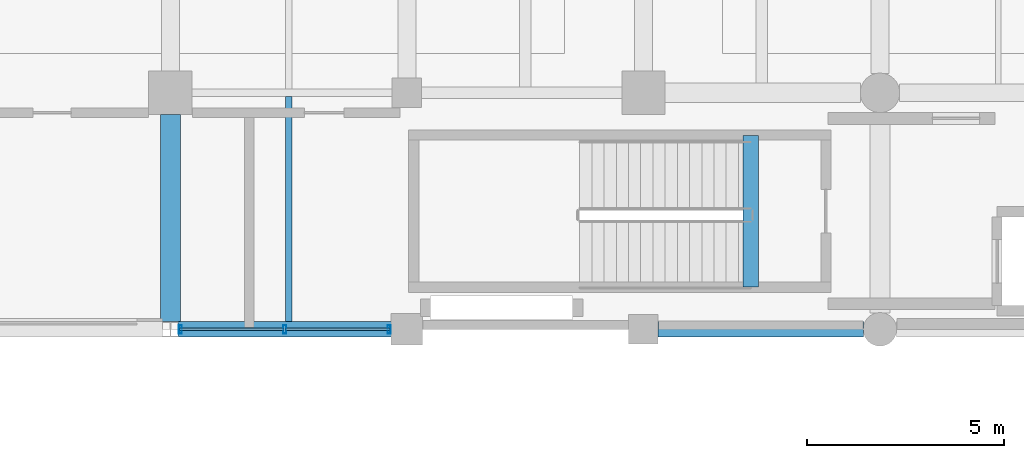
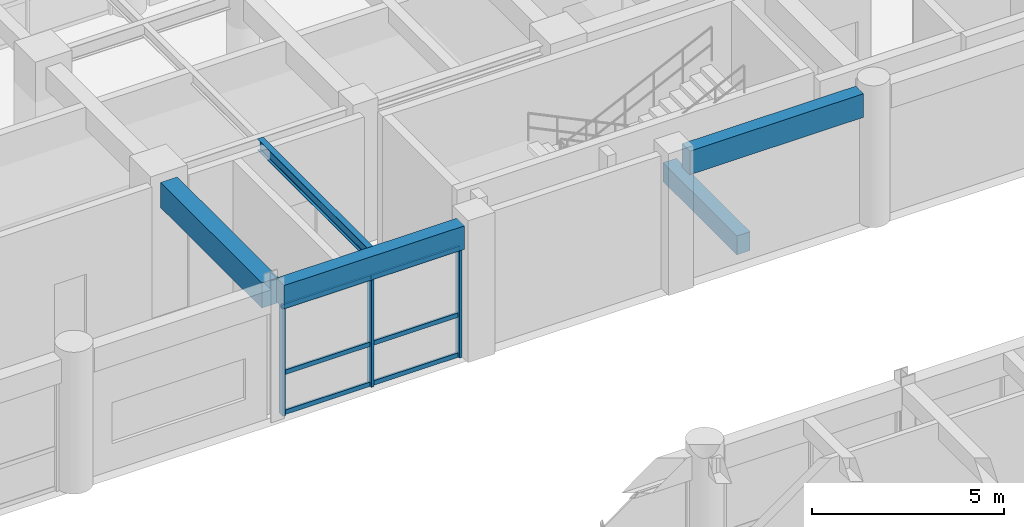
# One storey, part 49 of 133: 9 members, 5 beams, 1 element without a shape of its own.
"""IFC4 building model written with IfcOpenShell, lengths in metres."""

from ifc_helpers import new_model, si_unit, direction, frame, origin, origin_2d, place, context, subcontext, project, spatial, rectangle, hollow_rectangle, i_section, extrude, material, material_profile, profile_set, type_object, element, aggregate, save


model = new_model("IFC4")

# Units and contexts
model_context = context("Model", 3, precision=1e-05, world=origin(), true_north=direction((0.0, 1.0)))
body_context = subcontext(model_context, "Body", "Model", "MODEL_VIEW")
ifc_project = project(units=[si_unit("LENGTHUNIT", "METRE"), si_unit("AREAUNIT", "SQUARE_METRE"), si_unit("VOLUMEUNIT", "CUBIC_METRE"), si_unit("PLANEANGLEUNIT", "RADIAN"), si_unit("MASSUNIT", "GRAM", prefix="KILO"), si_unit("THERMODYNAMICTEMPERATUREUNIT", "KELVIN"), si_unit("POWERUNIT", "WATT")], contexts=[model_context])

# Site, building, storey
site_placement = place(None, origin())
site = spatial("IfcSite", under=ifc_project, at=site_placement, CompositionType="ELEMENT")
building_placement = place(site_placement, origin())
building = spatial("IfcBuilding", under=site, at=building_placement, Name="Phaisarnlok Congress Hotel", CompositionType="ELEMENT")
storey_placement = place(building_placement, frame((0.0, 0.0, 6.0)))
storey = spatial("IfcBuildingStorey", under=building, at=storey_placement, Name="L01", CompositionType="ELEMENT", Elevation=6.0)

# Beams
ifc_material_1 = material(Name="Concrete C40/50", Category="concrete")
ifc_material_profile_1 = material_profile(ifc_material_1, rectangle(XDim=0.39990234375, YDim=0.60009765625, at=origin_2d()), Name="RC 400x600")
ifc_profile_set_1 = profile_set([ifc_material_profile_1], Name="Concrete C40/50")
beam_type_1 = type_object("IfcBeamType", Name="BM-RC-400x600", PredefinedType="BEAM", material=ifc_profile_set_1)
beam_1_placement = place(storey_placement, frame((110.719970703125, 109.080078125, -0.300048828125), z_axis=(0.0, 1.0, 0.0), x_axis=(-1.0, 0.0, 0.0)))
element("IfcBeam", 1, at=beam_1_placement, inside=storey, type_object=beam_type_1, Name="Stair landing header beam B-02 (CORE-4 L01)", PredefinedType="BEAM", context=body_context, shape_type="SweptSolid", body=[
    extrude(rectangle(XDim=0.39990234375, YDim=0.60009765625, at=origin_2d()), origin(), (0.0, 0.0, 1.0), 3.83984375),
])
ifc_material_profile_2 = material_profile(ifc_material_1, rectangle(XDim=0.5, YDim=0.800048828125, at=origin_2d()), Name="RC 500x800")
ifc_profile_set_2 = profile_set([ifc_material_profile_2], Name="Concrete C40/50")
beam_type_2 = type_object("IfcBeamType", Name="BM-RC-500x800", PredefinedType="BEAM", material=ifc_profile_set_2)
beam_2_placement = place(storey_placement, frame((96.0, 108.194580078125, 3.820068359375), z_axis=(0.0, 1.0, 0.0), x_axis=(-1.0, 0.0, 0.0)))
element("IfcBeam", 2, at=beam_2_placement, inside=storey, type_object=beam_type_2, Name="Beam B-04", PredefinedType="BEAM", context=body_context, shape_type="SweptSolid", body=[
    extrude(rectangle(XDim=0.5, YDim=0.800048828125, at=origin_2d()), origin(), (0.0, 0.0, 1.0), 5.260498046875),
])

# Curtain wall, members
ifc_material_2 = material(Name="Thermally Broken Unitised Aluminium & Low-E Glazing", Category="aluminium")
curtain_wall_type = type_object("IfcCurtainWallType", Name="CW-UNIT-14", PredefinedType="NOTDEFINED", material=ifc_material_2)
curtain_wall_placement = place(storey_placement, origin())
curtain_wall = element("IfcCurtainWall", 3, at=curtain_wall_placement, inside=storey, type_object=curtain_wall_type, Name="Unitised curtain wall CW-14 (L01)", PredefinedType="NOTDEFINED")
ifc_material_3 = material(Name="Anodised Aluminium Alloy 6063-T6", Category="aluminium")
ifc_material_profile_3 = material_profile(ifc_material_3, hollow_rectangle(XDim=0.074951171875, YDim=0.219970703125, WallThickness=0.0048828125, at=origin_2d()), Name="ALU-M 75x220x5")
ifc_profile_set_3 = profile_set([ifc_material_profile_3], Name="Anodised Aluminium Alloy 6063-T6")
member_type_1 = type_object("IfcMemberType", Name="CWM-220", PredefinedType="MULLION", material=ifc_profile_set_3)
member_1_placement = place(storey_placement, frame((96.25048828125, 108.0, 0.0), z_axis=(0.0, 0.0, 1.0), x_axis=(1.0, 0.0, 0.0)))
member_1 = element("IfcMember", 4, at=member_1_placement, type_object=member_type_1, Name="Curtain wall mullion CWM-02", PredefinedType="MULLION", context=body_context, shape_type="SweptSolid", body=[
    extrude(hollow_rectangle(XDim=0.074951171875, YDim=0.219970703125, WallThickness=0.0048828125, at=origin_2d()), origin(), (0.0, 0.0, 1.0), 3.469970703125),
])
member_2_placement = place(storey_placement, frame((98.900146484375, 108.0, 0.0), z_axis=(0.0, 0.0, 1.0), x_axis=(1.0, 0.0, 0.0)))
member_2 = element("IfcMember", 5, at=member_2_placement, type_object=member_type_1, Name="Curtain wall mullion CWM-02", PredefinedType="MULLION", context=body_context, shape_type="SweptSolid", body=[
    extrude(hollow_rectangle(XDim=0.074951171875, YDim=0.219970703125, WallThickness=0.0048828125, at=origin_2d()), origin(), (0.0, 0.0, 1.0), 3.469970703125),
])
member_3_placement = place(storey_placement, frame((101.550048828125, 108.0, 0.0), z_axis=(0.0, 0.0, 1.0), x_axis=(1.0, 0.0, 0.0)))
member_3 = element("IfcMember", 6, at=member_3_placement, type_object=member_type_1, Name="Curtain wall mullion CWM-02", PredefinedType="MULLION", context=body_context, shape_type="SweptSolid", body=[
    extrude(hollow_rectangle(XDim=0.074951171875, YDim=0.219970703125, WallThickness=0.0048828125, at=origin_2d()), origin(), (0.0, 0.0, 1.0), 3.469970703125),
])
ifc_material_profile_4 = material_profile(ifc_material_3, hollow_rectangle(XDim=0.06494140625, YDim=0.139892578125, WallThickness=0.00390625, at=origin_2d()), Name="ALU-T 65x140x4")
ifc_profile_set_4 = profile_set([ifc_material_profile_4], Name="Anodised Aluminium Alloy 6063-T6")
member_type_2 = type_object("IfcMemberType", Name="CWT-150", PredefinedType="USERDEFINED", material=ifc_profile_set_4)
member_4_placement = place(storey_placement, frame((96.2255859375, 108.0, 0.050048828125), z_axis=(1.0, 0.0, 0.0), x_axis=(0.0, 1.0, 0.0)))
member_4 = element("IfcMember", 7, at=member_4_placement, type_object=member_type_2, Name="Curtain wall transom CWT-01", ObjectType="TRANSOM", PredefinedType="USERDEFINED", context=body_context, shape_type="SweptSolid", body=[
    extrude(hollow_rectangle(XDim=0.06494140625, YDim=0.139892578125, WallThickness=0.00390625, at=origin_2d()), origin(), (0.0, 0.0, 1.0), 2.65966796875),
])
member_5_placement = place(storey_placement, frame((96.2255859375, 108.0, 1.318603515625), z_axis=(1.0, 0.0, 0.0), x_axis=(0.0, 1.0, 0.0)))
member_5 = element("IfcMember", 8, at=member_5_placement, type_object=member_type_2, Name="Curtain wall transom CWT-01", ObjectType="TRANSOM", PredefinedType="USERDEFINED", context=body_context, shape_type="SweptSolid", body=[
    extrude(hollow_rectangle(XDim=0.06494140625, YDim=0.139892578125, WallThickness=0.00390625, at=origin_2d()), origin(), (0.0, 0.0, 1.0), 2.65966796875),
])
member_6_placement = place(storey_placement, frame((96.2255859375, 108.0, 3.419921875), z_axis=(1.0, 0.0, 0.0), x_axis=(0.0, 1.0, 0.0)))
member_6 = element("IfcMember", 9, at=member_6_placement, type_object=member_type_2, Name="Curtain wall transom CWT-01", ObjectType="TRANSOM", PredefinedType="USERDEFINED", context=body_context, shape_type="SweptSolid", body=[
    extrude(hollow_rectangle(XDim=0.06494140625, YDim=0.139892578125, WallThickness=0.00390625, at=origin_2d()), origin(), (0.0, 0.0, 1.0), 2.65966796875),
])
member_7_placement = place(storey_placement, frame((98.915283203125, 108.0, 0.050048828125), z_axis=(1.0, 0.0, 0.0), x_axis=(0.0, 1.0, 0.0)))
member_7 = element("IfcMember", 10, at=member_7_placement, type_object=member_type_2, Name="Curtain wall transom CWT-01", ObjectType="TRANSOM", PredefinedType="USERDEFINED", context=body_context, shape_type="SweptSolid", body=[
    extrude(hollow_rectangle(XDim=0.06494140625, YDim=0.139892578125, WallThickness=0.00390625, at=origin_2d()), origin(), (0.0, 0.0, 1.0), 2.65966796875),
])
member_8_placement = place(storey_placement, frame((98.915283203125, 108.0, 1.318603515625), z_axis=(1.0, 0.0, 0.0), x_axis=(0.0, 1.0, 0.0)))
member_8 = element("IfcMember", 11, at=member_8_placement, type_object=member_type_2, Name="Curtain wall transom CWT-01", ObjectType="TRANSOM", PredefinedType="USERDEFINED", context=body_context, shape_type="SweptSolid", body=[
    extrude(hollow_rectangle(XDim=0.06494140625, YDim=0.139892578125, WallThickness=0.00390625, at=origin_2d()), origin(), (0.0, 0.0, 1.0), 2.65966796875),
])
member_9_placement = place(storey_placement, frame((98.915283203125, 108.0, 3.419921875), z_axis=(1.0, 0.0, 0.0), x_axis=(0.0, 1.0, 0.0)))
member_9 = element("IfcMember", 12, at=member_9_placement, type_object=member_type_2, Name="Curtain wall transom CWT-01", ObjectType="TRANSOM", PredefinedType="USERDEFINED", context=body_context, shape_type="SweptSolid", body=[
    extrude(hollow_rectangle(XDim=0.06494140625, YDim=0.139892578125, WallThickness=0.00390625, at=origin_2d()), origin(), (0.0, 0.0, 1.0), 2.65966796875),
])
aggregate(curtain_wall, [member_1, member_2, member_3, member_4, member_5, member_6, member_7, member_8, member_9])

# Beams
ifc_material_4 = material(Name="Steel S355", Category="steel")
ifc_material_profile_5 = material_profile(ifc_material_4, i_section(OverallWidth=0.169921875, OverallDepth=0.360107421875, WebThickness=0.008056640625, FlangeThickness=0.0126953125, FilletRadius=0.01806640625, at=origin_2d()), Name="IPE 360")
ifc_profile_set_5 = profile_set([ifc_material_profile_5], Name="Steel S355")
beam_type_3 = type_object("IfcBeamType", Name="JS-STL-IPE360", PredefinedType="JOIST", material=ifc_profile_set_5)
beam_3_placement = place(storey_placement, frame((99.0, 108.195068359375, 4.0400390625), z_axis=(0.0, 1.0, 0.0), x_axis=(-1.0, 0.0, 0.0)))
element("IfcBeam", 13, at=beam_3_placement, inside=storey, type_object=beam_type_3, Name="Secondary floor joist J-04", PredefinedType="JOIST", context=body_context, shape_type="SweptSolid", body=[
    extrude(i_section(OverallWidth=0.169921875, OverallDepth=0.360107421875, WebThickness=0.008056640625, FlangeThickness=0.0126953125, FilletRadius=0.01806640625, at=origin_2d()), origin(), (0.0, 0.0, 1.0), 5.71484375),
])
ifc_material_profile_6 = material_profile(ifc_material_1, rectangle(XDim=0.39990234375, YDim=0.75, at=origin_2d()), Name="RC 400x750")
ifc_profile_set_6 = profile_set([ifc_material_profile_6], Name="Concrete C40/50")
beam_type_4 = type_object("IfcBeamType", Name="SP-RC-400x750", PredefinedType="SPANDREL", material=ifc_profile_set_6)
beam_4_placement = place(storey_placement, frame((96.195556640625, 108.0, 3.844970703125), z_axis=(1.0, 0.0, 0.0), x_axis=(0.0, 1.0, 0.0)))
element("IfcBeam", 14, at=beam_4_placement, inside=storey, type_object=beam_type_4, Name="Beam SP-02", PredefinedType="SPANDREL", context=body_context, shape_type="SweptSolid", body=[
    extrude(rectangle(XDim=0.39990234375, YDim=0.75, at=origin_2d()), origin(), (0.0, 0.0, 1.0), 5.409423828125),
])
beam_5_placement = place(storey_placement, frame((108.3701171875, 108.0, 3.844970703125), z_axis=(1.0, 0.0, 0.0), x_axis=(0.0, 1.0, 0.0)))
element("IfcBeam", 15, at=beam_5_placement, inside=storey, type_object=beam_type_4, Name="Beam SP-02", PredefinedType="SPANDREL", context=body_context, shape_type="SweptSolid", body=[
    extrude(rectangle(XDim=0.39990234375, YDim=0.75, at=origin_2d()), origin(), (0.0, 0.0, 1.0), 5.2099609375),
])

save(model, "model.ifc")
